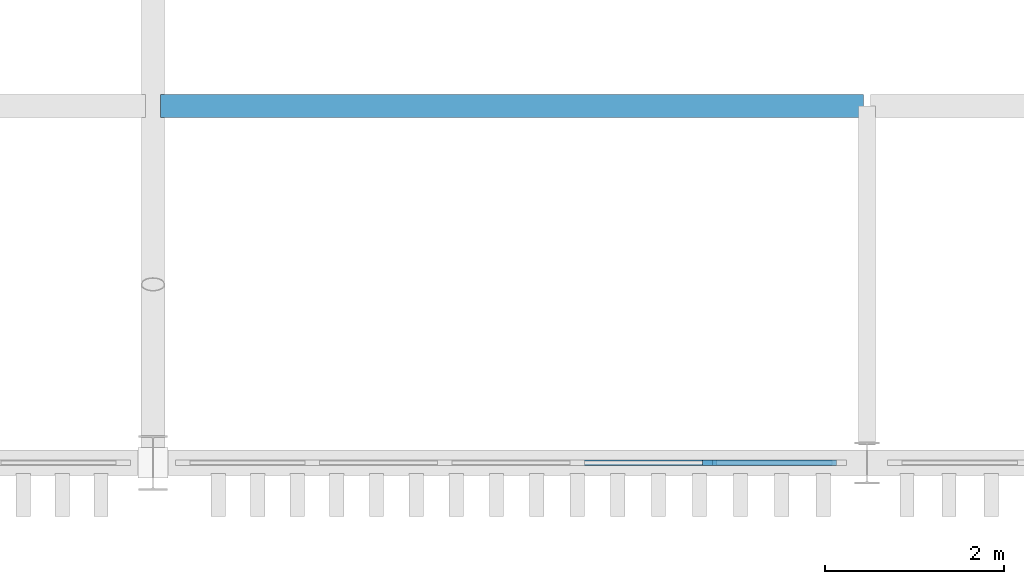
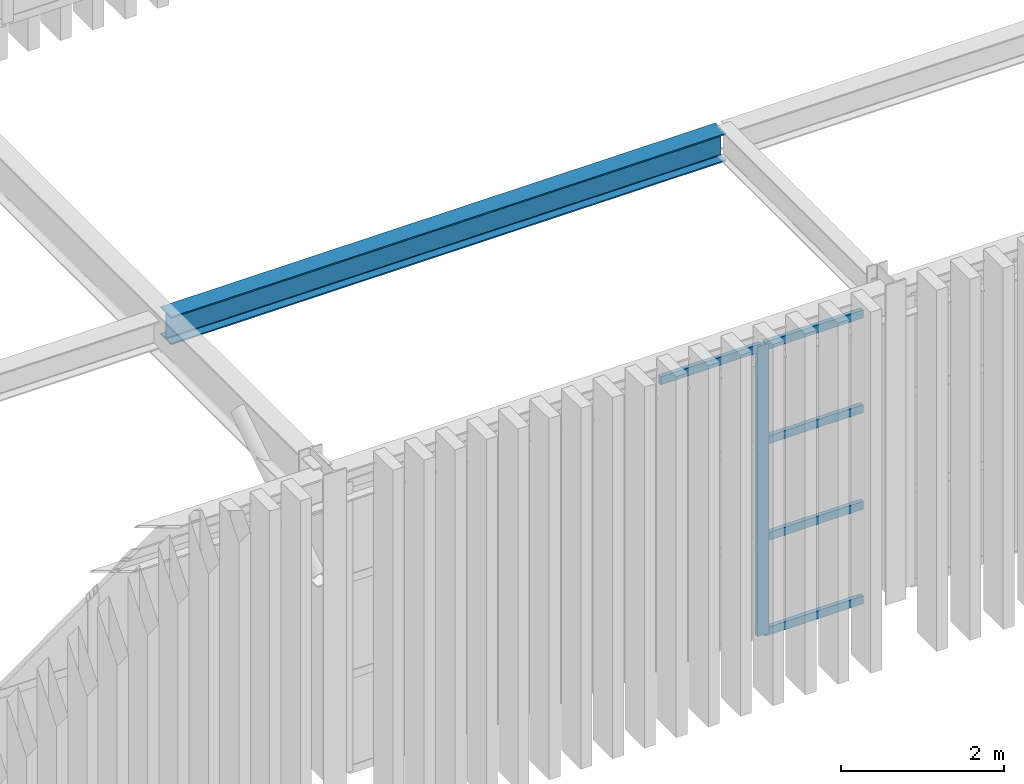
# One storey, part 14 of 61: 6 members, 1 beam, 1 element without a shape of its own.
"""IFC4 building model written with IfcOpenShell, lengths in metres."""

from ifc_helpers import new_model, si_unit, direction, frame, origin, origin_2d, place, context, subcontext, project, spatial, rectangle, i_section, extrude, material, material_profile, profile_set, type_object, element, aggregate, save


model = new_model("IFC4")

# Units and contexts
model_context = context("Model", 3, precision=1e-05, world=origin(), true_north=direction((0.0, 1.0)))
body_context = subcontext(model_context, "Body", "Model", "MODEL_VIEW")
ifc_project = project(units=[si_unit("LENGTHUNIT", "METRE"), si_unit("AREAUNIT", "SQUARE_METRE"), si_unit("VOLUMEUNIT", "CUBIC_METRE"), si_unit("PLANEANGLEUNIT", "RADIAN"), si_unit("MASSUNIT", "GRAM", prefix="KILO")], contexts=[model_context])

# Site, building, storey
site_placement = place(None, origin())
site = spatial("IfcSite", under=ifc_project, at=site_placement, CompositionType="ELEMENT")
building_placement = place(site_placement, origin())
building = spatial("IfcBuilding", under=site, at=building_placement, Name="Serraluz Foothill Cableway Terminal", CompositionType="ELEMENT")
storey_placement = place(building_placement, frame((0.0, 0.0, 15.0)))
storey = spatial("IfcBuildingStorey", under=building, at=storey_placement, Name="L03", CompositionType="ELEMENT", Elevation=15.0)

# Curtain wall, members
ifc_material_1 = material(Name="Architectural bronze alloy C28000", Category="aluminium")
curtain_wall_type = type_object("IfcCurtainWallType", Name="TYP-CW-540X420", PredefinedType="NOTDEFINED", material=ifc_material_1)
curtain_wall_placement = place(storey_placement, origin())
curtain_wall = element("IfcCurtainWall", 1, at=curtain_wall_placement, inside=storey, type_object=curtain_wall_type, Name="Ribbed Glazed Curtain Wall CW-V1S-L03-56", PredefinedType="NOTDEFINED")
ifc_material_profile_1 = material_profile(ifc_material_1, rectangle(XDim=0.06005859375, YDim=0.159912109375, at=origin_2d()), Name="ALU MULLION 60x160")
ifc_profile_set_1 = profile_set([ifc_material_profile_1], Name="Architectural bronze alloy C28000")
member_type_1 = type_object("IfcMemberType", Name="TYP-CW-MUL-60X160", PredefinedType="MULLION", material=ifc_profile_set_1)
member_1_placement = place(storey_placement, frame((62.2353515625, 56.0, 0.0), z_axis=(0.0, 0.0, 1.0), x_axis=(0.0, -1.0, 0.0)))
member_1 = element("IfcMember", 2, at=member_1_placement, type_object=member_type_1, Name="CW-10 mullion 2", PredefinedType="MULLION", context=body_context, shape_type="SweptSolid", body=[
    extrude(rectangle(XDim=0.06005859375, YDim=0.159912109375, at=origin_2d()), origin(), (0.0, 0.0, 1.0), 4.35009765625),
])
ifc_material_profile_2 = material_profile(ifc_material_1, rectangle(XDim=0.06005859375, YDim=0.1201171875, at=origin_2d()), Name="ALU TRANSOM 60x120")
ifc_profile_set_2 = profile_set([ifc_material_profile_2], Name="Architectural bronze alloy C28000")
member_type_2 = type_object("IfcMemberType", Name="TYP-CW-TRN-60X120", PredefinedType="USERDEFINED", material=ifc_profile_set_2)
member_2_placement = place(storey_placement, frame((63.658447265625, 56.0, 0.030029296875), z_axis=(-1.0, 0.0, 0.0), x_axis=(0.0, -1.0, 0.0)))
member_2 = element("IfcMember", 3, at=member_2_placement, type_object=member_type_2, Name="CW-10 transom 1.1", ObjectType="TRANSOM", PredefinedType="USERDEFINED", context=body_context, shape_type="SweptSolid", body=[
    extrude(rectangle(XDim=0.06005859375, YDim=0.1201171875, at=origin_2d()), origin(), (0.0, 0.0, 1.0), 1.39306640625),
])
member_3_placement = place(storey_placement, frame((63.658447265625, 56.0, 1.449951171875), z_axis=(-1.0, 0.0, 0.0), x_axis=(0.0, -1.0, 0.0)))
member_3 = element("IfcMember", 4, at=member_3_placement, type_object=member_type_2, Name="CW-10 transom 1.2", ObjectType="TRANSOM", PredefinedType="USERDEFINED", context=body_context, shape_type="SweptSolid", body=[
    extrude(rectangle(XDim=0.06005859375, YDim=0.1201171875, at=origin_2d()), origin(), (0.0, 0.0, 1.0), 1.39306640625),
])
member_4_placement = place(storey_placement, frame((63.658447265625, 56.0, 2.89990234375), z_axis=(-1.0, 0.0, 0.0), x_axis=(0.0, -1.0, 0.0)))
member_4 = element("IfcMember", 5, at=member_4_placement, type_object=member_type_2, Name="CW-10 transom 1.3", ObjectType="TRANSOM", PredefinedType="USERDEFINED", context=body_context, shape_type="SweptSolid", body=[
    extrude(rectangle(XDim=0.06005859375, YDim=0.1201171875, at=origin_2d()), origin(), (0.0, 0.0, 1.0), 1.39306640625),
])
member_5_placement = place(storey_placement, frame((63.658447265625, 56.0, 4.320068359375), z_axis=(-1.0, 0.0, 0.0), x_axis=(0.0, -1.0, 0.0)))
member_5 = element("IfcMember", 6, at=member_5_placement, type_object=member_type_2, Name="CW-10 transom 1.4", ObjectType="TRANSOM", PredefinedType="USERDEFINED", context=body_context, shape_type="SweptSolid", body=[
    extrude(rectangle(XDim=0.06005859375, YDim=0.1201171875, at=origin_2d()), origin(), (0.0, 0.0, 1.0), 1.39306640625),
])
member_6_placement = place(storey_placement, frame((62.205322265625, 56.0, 4.320068359375), z_axis=(-1.0, 0.0, 0.0), x_axis=(0.0, -1.0, 0.0)))
member_6 = element("IfcMember", 7, at=member_6_placement, type_object=member_type_2, Name="CW-10 transom 2.4", ObjectType="TRANSOM", PredefinedType="USERDEFINED", context=body_context, shape_type="SweptSolid", body=[
    extrude(rectangle(XDim=0.06005859375, YDim=0.1201171875, at=origin_2d()), origin(), (0.0, 0.0, 1.0), 1.42333984375),
])
aggregate(curtain_wall, [member_1, member_2, member_3, member_4, member_5, member_6])

# Beam
ifc_material_2 = material(Name="Steel ASTM A992 Grade 50", Category="steel")
ifc_material_profile_3 = material_profile(ifc_material_2, i_section(OverallWidth=0.260009765625, OverallDepth=0.4189453125, WebThickness=0.01171875, FlangeThickness=0.019287109375, FilletRadius=0.013916015625, at=origin_2d()), Name="W16X77")
ifc_profile_set_3 = profile_set([ifc_material_profile_3], Name="Steel ASTM A992 Grade 50")
beam_type = type_object("IfcBeamType", Name="TYP-JS-W16X77", PredefinedType="JOIST", material=ifc_profile_set_3)
beam_placement = place(storey_placement, frame((56.0849609375, 60.0, 4.35009765625), z_axis=(1.0, 0.0, 0.0), x_axis=(0.0, 1.0, 0.0)))
element("IfcBeam", 8, at=beam_placement, inside=storey, type_object=beam_type, Name="Eaves Gallery Support Beam 56-60", PredefinedType="JOIST", context=body_context, shape_type="SweptSolid", body=[
    extrude(i_section(OverallWidth=0.260009765625, OverallDepth=0.4189453125, WebThickness=0.01171875, FlangeThickness=0.019287109375, FilletRadius=0.013916015625, at=origin_2d()), origin(), (0.0, 0.0, 1.0), 7.875),
])

save(model, "model.ifc")
